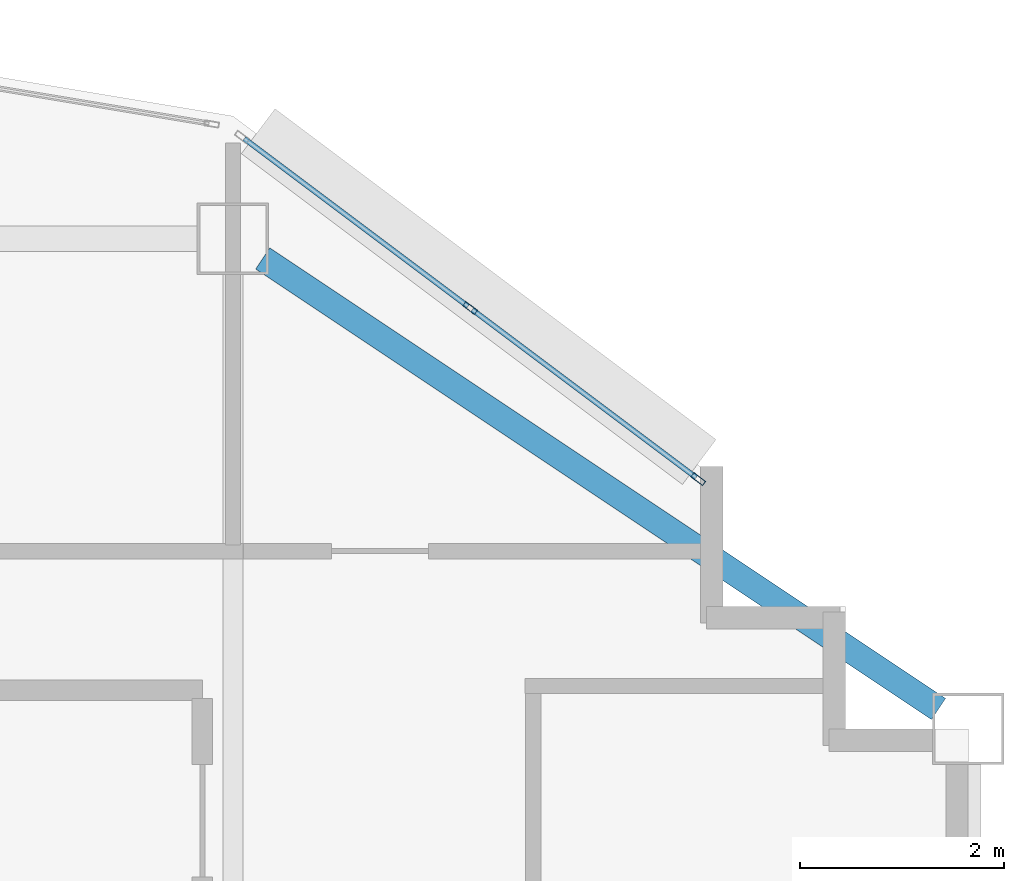
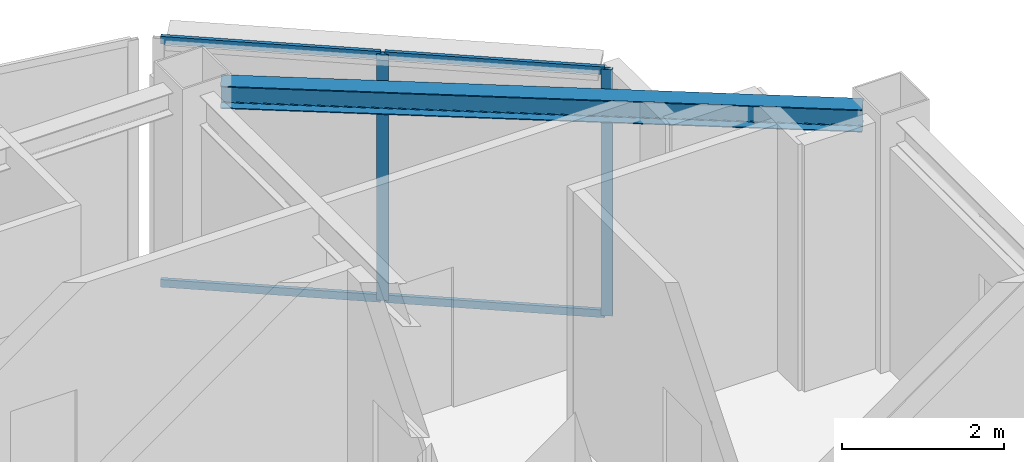
# One storey, part 2 of 9: 6 members, 1 beam, 1 element without a shape of its own.
"""IFC4 building model written with IfcOpenShell, lengths in metres."""

from ifc_helpers import new_model, si_unit, direction, frame, origin, origin_2d, place, context, subcontext, project, spatial, hollow_rectangle, i_section, extrude, material, layer, layer_set, material_profile, profile_set, type_object, element, aggregate, save


model = new_model("IFC4")

# Units and contexts
model_context = context("Model", 3, precision=1e-05, world=origin(), true_north=direction((0.0, 1.0)))
body_context = subcontext(model_context, "Body", "Model", "MODEL_VIEW")
ifc_project = project(units=[si_unit("LENGTHUNIT", "METRE"), si_unit("AREAUNIT", "SQUARE_METRE"), si_unit("VOLUMEUNIT", "CUBIC_METRE"), si_unit("PLANEANGLEUNIT", "RADIAN"), si_unit("MASSUNIT", "GRAM", prefix="KILO")], contexts=[model_context])

# Site, building, storey
site_placement = place(None, origin())
site = spatial("IfcSite", under=ifc_project, at=site_placement, CompositionType="ELEMENT")
building_placement = place(site_placement, origin())
building = spatial("IfcBuilding", under=site, at=building_placement, Name="Haolan Belvedere Tower", CompositionType="ELEMENT")
storey_placement = place(building_placement, frame((0.0, 0.0, 290.0)))
storey = spatial("IfcBuildingStorey", under=building, at=storey_placement, Name="L73", CompositionType="ELEMENT", Elevation=290.0)

# Beam
ifc_material_1 = material(Name="Steel Q355B", Category="steel")
ifc_material_profile_1 = material_profile(ifc_material_1, i_section(OverallWidth=0.25, OverallDepth=0.340087890625, WebThickness=0.009033203125, FlangeThickness=0.013916015625, FilletRadius=0.02001953125, at=origin_2d()), Name="Steel Q355B")
ifc_profile_set_1 = profile_set([ifc_material_profile_1], Name="Steel Q355B")
beam_type = type_object("IfcBeamType", Name="BM-HM340x250x9x14", PredefinedType="SPANDREL", material=ifc_profile_set_1)
beam_placement = place(storey_placement, frame((45.89111328125, 50.205810546875, 3.550048828125), z_axis=(0.832059739299, -0.554686028522, 0.0), x_axis=(0.554686028522, 0.832059739299, 0.0)))
element("IfcBeam", 1, at=beam_placement, inside=storey, type_object=beam_type, Name="L73 spandrel girder MC-T3-N2-MC-T3-NE", PredefinedType="SPANDREL", context=body_context, shape_type="SweptSolid", body=[
    extrude(i_section(OverallWidth=0.25, OverallDepth=0.340087890625, WebThickness=0.009033203125, FlangeThickness=0.013916015625, FilletRadius=0.02001953125, at=origin_2d()), origin(), (0.0, 0.0, 1.0), 7.953369140625),
])

# Curtain wall, members
ifc_material_2 = material(Name="Anodised champagne-silver aluminium 6063-T6 and Low-E glass", Category="aluminium")
ifc_layer = layer(ifc_material_2, 0.14501953125, Name="Anodised champagne-silver aluminium 6063-T6 and Low-E glass")
ifc_layer_set = layer_set([ifc_layer], Name="Anodised champagne-silver aluminium 6063-T6 and Low-E glass")
curtain_wall_type = type_object("IfcCurtainWallType", Name="CW-SYS-05", PredefinedType="NOTDEFINED", material=ifc_layer_set)
curtain_wall_placement = place(storey_placement, origin())
curtain_wall = element("IfcCurtainWall", 2, at=curtain_wall_placement, inside=storey, type_object=curtain_wall_type, Name="L73 CW-SYS-05 ribbon curtain wall 8.1", PredefinedType="NOTDEFINED")
ifc_material_3 = material(Name="Anodised aluminium 6063-T6", Category="aluminium")
ifc_material_profile_2 = material_profile(ifc_material_3, hollow_rectangle(XDim=0.053955078125, YDim=0.14501953125, WallThickness=0.00390625, at=origin_2d()), Name="Anodised aluminium 6063-T6")
ifc_profile_set_2 = profile_set([ifc_material_profile_2], Name="Anodised aluminium 6063-T6")
member_type_1 = type_object("IfcMemberType", Name="CW-SYS-05-MUL", PredefinedType="MULLION", material=ifc_profile_set_2)
member_1_placement = place(storey_placement, frame((50.156494140625, 48.045166015625, 0.0), z_axis=(0.0, 0.0, 1.0), x_axis=(-0.600002837806, -0.799997871638, 0.0)))
member_1 = element("IfcMember", 3, at=member_1_placement, type_object=member_type_1, Name="CW-05 mullion 1", PredefinedType="MULLION", context=body_context, shape_type="SweptSolid", body=[
    extrude(hollow_rectangle(XDim=0.053955078125, YDim=0.14501953125, WallThickness=0.00390625, at=origin_2d()), origin(), (0.0, 0.0, 1.0), 3.719970703125),
])
member_2_placement = place(storey_placement, frame((47.9228515625, 49.720458984375, 0.0), z_axis=(0.0, 0.0, 1.0), x_axis=(-0.600002837806, -0.799997871638, 0.0)))
member_2 = element("IfcMember", 4, at=member_2_placement, type_object=member_type_1, Name="CW-05 mullion 2", PredefinedType="MULLION", context=body_context, shape_type="SweptSolid", body=[
    extrude(hollow_rectangle(XDim=0.053955078125, YDim=0.14501953125, WallThickness=0.00390625, at=origin_2d()), origin(), (0.0, 0.0, 1.0), 3.719970703125),
])
ifc_material_profile_3 = material_profile(ifc_material_3, hollow_rectangle(XDim=0.050048828125, YDim=0.114990234375, WallThickness=0.00390625, at=origin_2d()), Name="Anodised aluminium 6063-T6")
ifc_profile_set_3 = profile_set([ifc_material_profile_3], Name="Anodised aluminium 6063-T6")
member_type_2 = type_object("IfcMemberType", Name="CW-SYS-05-TRN", PredefinedType="USERDEFINED", material=ifc_profile_set_3)
member_3_placement = place(storey_placement, frame((50.134765625, 48.061279296875, 0.02490234375), z_axis=(-0.799957200433, 0.60005706185, 0.0), x_axis=(-0.60005706185, -0.799957200433, 0.0)))
member_3 = element("IfcMember", 5, at=member_3_placement, type_object=member_type_2, Name="CW-05 transom 1.1", ObjectType="TRANSOM", PredefinedType="USERDEFINED", context=body_context, shape_type="SweptSolid", body=[
    extrude(hollow_rectangle(XDim=0.050048828125, YDim=0.114990234375, WallThickness=0.00390625, at=origin_2d()), origin(), (0.0, 0.0, 1.0), 2.73828125),
])
member_4_placement = place(storey_placement, frame((50.134765625, 48.061279296875, 3.695068359375), z_axis=(-0.799957200433, 0.60005706185, 0.0), x_axis=(-0.60005706185, -0.799957200433, 0.0)))
member_4 = element("IfcMember", 6, at=member_4_placement, type_object=member_type_2, Name="CW-05 transom 1.2", ObjectType="TRANSOM", PredefinedType="USERDEFINED", context=body_context, shape_type="SweptSolid", body=[
    extrude(hollow_rectangle(XDim=0.050048828125, YDim=0.114990234375, WallThickness=0.00390625, at=origin_2d()), origin(), (0.0, 0.0, 1.0), 2.73828125),
])
member_5_placement = place(storey_placement, frame((47.901123046875, 49.736572265625, 0.02490234375), z_axis=(-0.8, 0.6, 0.0), x_axis=(-0.6, -0.8, 0.0)))
member_5 = element("IfcMember", 7, at=member_5_placement, type_object=member_type_2, Name="CW-05 transom 2.1", ObjectType="TRANSOM", PredefinedType="USERDEFINED", context=body_context, shape_type="SweptSolid", body=[
    extrude(hollow_rectangle(XDim=0.050048828125, YDim=0.114990234375, WallThickness=0.00390625, at=origin_2d()), origin(), (0.0, 0.0, 1.0), 2.738037109375),
])
member_6_placement = place(storey_placement, frame((47.901123046875, 49.736572265625, 3.695068359375), z_axis=(-0.8, 0.6, 0.0), x_axis=(-0.6, -0.8, 0.0)))
member_6 = element("IfcMember", 8, at=member_6_placement, type_object=member_type_2, Name="CW-05 transom 2.2", ObjectType="TRANSOM", PredefinedType="USERDEFINED", context=body_context, shape_type="SweptSolid", body=[
    extrude(hollow_rectangle(XDim=0.050048828125, YDim=0.114990234375, WallThickness=0.00390625, at=origin_2d()), origin(), (0.0, 0.0, 1.0), 2.738037109375),
])
aggregate(curtain_wall, [member_1, member_2, member_3, member_4, member_5, member_6])

save(model, "model.ifc")
